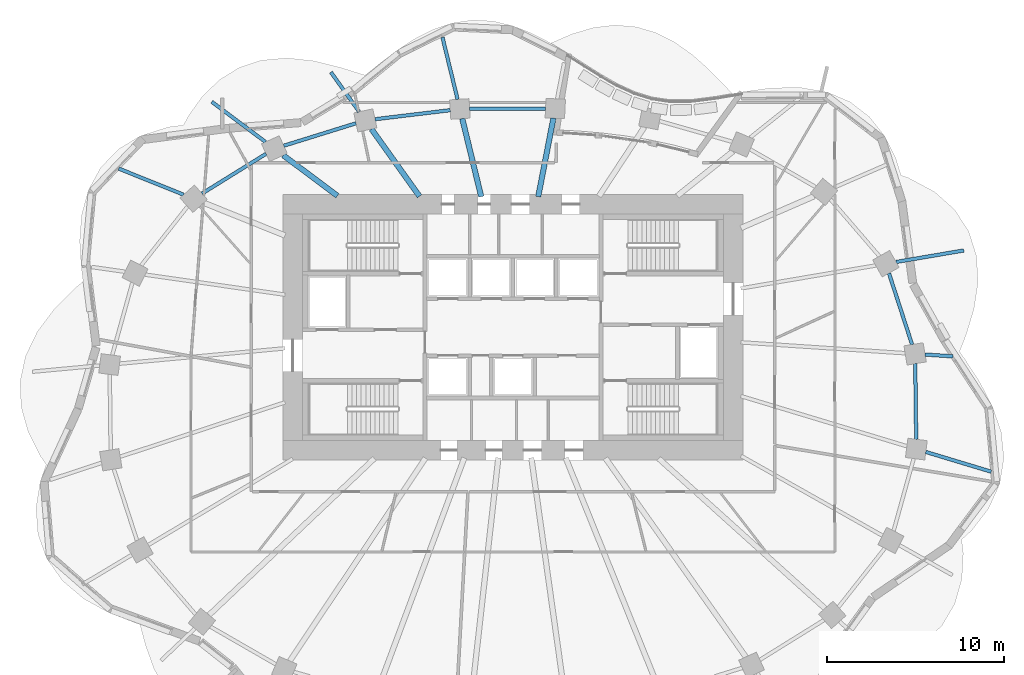
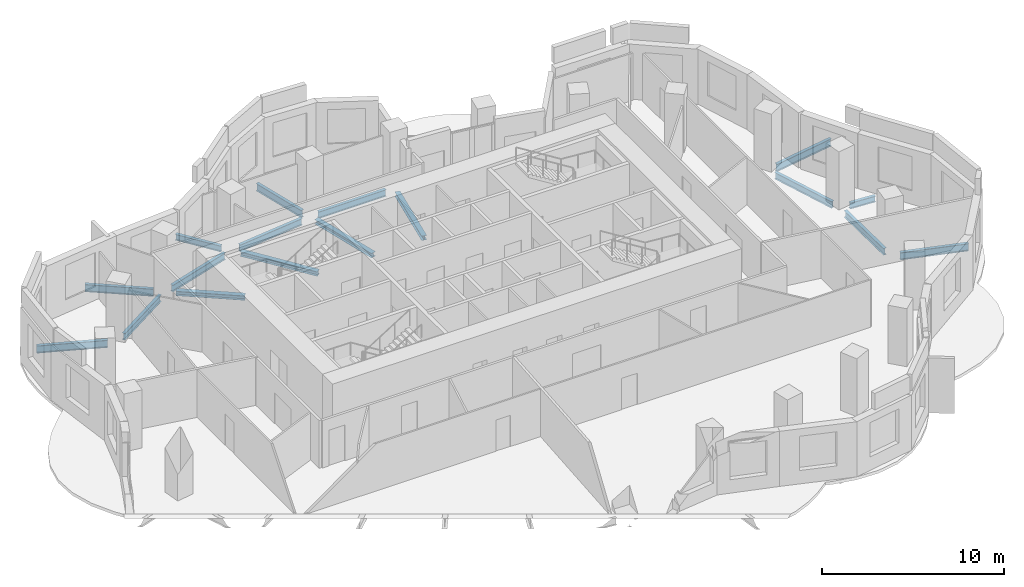
# One storey, part 2 of 11: 17 beams.
"""IFC4 building model written with IfcOpenShell, lengths in metres."""

from ifc_helpers import new_model, si_unit, direction, frame, origin, origin_2d, place, context, subcontext, project, spatial, i_section, extrude, material, material_profile, profile_set, type_object, element, save


model = new_model("IFC4")

# Units and contexts
model_context = context("Model", 3, precision=1e-05, world=origin(), true_north=direction((0.0, 1.0)))
body_context = subcontext(model_context, "Body", "Model", "MODEL_VIEW")
ifc_project = project(units=[si_unit("LENGTHUNIT", "METRE"), si_unit("AREAUNIT", "SQUARE_METRE"), si_unit("VOLUMEUNIT", "CUBIC_METRE"), si_unit("PLANEANGLEUNIT", "RADIAN"), si_unit("MASSUNIT", "GRAM", prefix="KILO")], contexts=[model_context])

# Site, building, storey
site_placement = place(None, origin())
site = spatial("IfcSite", under=ifc_project, at=site_placement, CompositionType="ELEMENT")
building_placement = place(site_placement, origin())
building = spatial("IfcBuilding", under=site, at=building_placement, Name="Rubra Terraces Tower", CompositionType="ELEMENT")
storey_placement = place(building_placement, frame((0.0, 0.0, 146.10009765625)))
storey = spatial("IfcBuildingStorey", under=building, at=storey_placement, Name="L35", CompositionType="ELEMENT", Elevation=146.10009765625)

# Beams
ifc_material = material(Name="Steel Q355B", Category="steel")
ifc_material_profile_1 = material_profile(ifc_material, i_section(OverallWidth=0.199951171875, OverallDepth=0.39990234375, WebThickness=0.008056640625, FlangeThickness=0.012939453125, at=origin_2d()), Name="HN 400x200x8x13")
ifc_profile_set_1 = profile_set([ifc_material_profile_1], Name="Steel Q355B")
beam_type_1 = type_object("IfcBeamType", Name="CANTILEVER BEAM HN 400x200x8x13", PredefinedType="BEAM", material=ifc_profile_set_1)
beam_1_placement = place(storey_placement, frame((23.298095703125, 2.9560546875, -0.400146484375), z_axis=(0.997807103041, -0.066189010572, 0.0), x_axis=(0.066189010572, 0.997807103041, 0.0)))
element("IfcBeam", 1, at=beam_1_placement, inside=storey, type_object=beam_type_1, Name="beam-L35-cant-01", PredefinedType="BEAM", context=body_context, shape_type="SweptSolid", body=[
    extrude(i_section(OverallWidth=0.199951171875, OverallDepth=0.39990234375, WebThickness=0.008056640625, FlangeThickness=0.012939453125, at=origin_2d()), origin(), (0.0, 0.0, 1.0), 1.5712890625),
])
beam_2_placement = place(storey_placement, frame((-8.695068359375, 16.679931640625, -0.400146484375), z_axis=(-0.581002903786, 0.813901484083, 0.0), x_axis=(-0.813901484083, -0.581002903786, 0.0)))
element("IfcBeam", 2, at=beam_2_placement, inside=storey, type_object=beam_type_1, Name="beam-L35-cant-08", PredefinedType="BEAM", context=body_context, shape_type="SweptSolid", body=[
    extrude(i_section(OverallWidth=0.199951171875, OverallDepth=0.39990234375, WebThickness=0.008056640625, FlangeThickness=0.012939453125, at=origin_2d()), origin(), (0.0, 0.0, 1.0), 2.74853515625),
])
ifc_material_profile_2 = material_profile(ifc_material, i_section(OverallWidth=0.198974609375, OverallDepth=0.49609375, WebThickness=0.009033203125, FlangeThickness=0.013916015625, at=origin_2d()), Name="HN 496x199x9x14")
ifc_profile_set_2 = profile_set([ifc_material_profile_2], Name="Steel Q355B")
beam_type_2 = type_object("IfcBeamType", Name="CANTILEVER BEAM HN 496x199x9x14", PredefinedType="BEAM", material=ifc_profile_set_2)
beam_3_placement = place(storey_placement, frame((21.656982421875, 8.18798828125, -0.447998046875), z_axis=(0.985806786827, 0.16788382604, 0.0), x_axis=(-0.16788382604, 0.985806786827, 0.0)))
element("IfcBeam", 3, at=beam_3_placement, inside=storey, type_object=beam_type_2, Name="beam-L35-cant-02", PredefinedType="BEAM", context=body_context, shape_type="SweptSolid", body=[
    extrude(i_section(OverallWidth=0.198974609375, OverallDepth=0.49609375, WebThickness=0.009033203125, FlangeThickness=0.013916015625, at=origin_2d()), origin(), (0.0, 0.0, 1.0), 3.88427734375),
])
beam_4_placement = place(storey_placement, frame((-3.131103515625, 17.37890625, -0.447998046875), z_axis=(-0.236144325216, 0.971717992871, 0.0), x_axis=(-0.971717992871, -0.236144325216, 0.0)))
element("IfcBeam", 4, at=beam_4_placement, inside=storey, type_object=beam_type_2, Name="beam-L35-cant-07", PredefinedType="BEAM", context=body_context, shape_type="SweptSolid", body=[
    extrude(i_section(OverallWidth=0.198974609375, OverallDepth=0.49609375, WebThickness=0.009033203125, FlangeThickness=0.013916015625, at=origin_2d()), origin(), (0.0, 0.0, 1.0), 3.607177734375),
])
beam_5_placement = place(storey_placement, frame((-13.989013671875, 14.971923828125, -0.447998046875), z_axis=(-0.800563432958, 0.599248020281, 0.0), x_axis=(-0.599248020281, -0.800563432958, 0.0)))
element("IfcBeam", 5, at=beam_5_placement, inside=storey, type_object=beam_type_2, Name="beam-L35-cant-09", PredefinedType="BEAM", context=body_context, shape_type="SweptSolid", body=[
    extrude(i_section(OverallWidth=0.198974609375, OverallDepth=0.49609375, WebThickness=0.009033203125, FlangeThickness=0.013916015625, at=origin_2d()), origin(), (0.0, 0.0, 1.0), 3.79345703125),
])
beam_6_placement = place(storey_placement, frame((-18.6201171875, 11.991943359375, -0.447998046875), z_axis=(-0.927758876375, 0.373180207551, 0.0), x_axis=(-0.373180207551, -0.927758876375, 0.0)))
element("IfcBeam", 6, at=beam_6_placement, inside=storey, type_object=beam_type_2, Name="beam-L35-cant-10", PredefinedType="BEAM", context=body_context, shape_type="SweptSolid", body=[
    extrude(i_section(OverallWidth=0.198974609375, OverallDepth=0.49609375, WebThickness=0.009033203125, FlangeThickness=0.013916015625, at=origin_2d()), origin(), (0.0, 0.0, 1.0), 3.9501953125),
])
beam_7_placement = place(storey_placement, frame((23.3359375, -2.550048828125, -0.447998046875), z_axis=(0.957272539744, -0.289187283006, 0.0), x_axis=(0.289187283006, 0.957272539744, 0.0)))
element("IfcBeam", 7, at=beam_7_placement, inside=storey, type_object=beam_type_2, Name="beam-L35-cant-24", PredefinedType="BEAM", context=body_context, shape_type="SweptSolid", body=[
    extrude(i_section(OverallWidth=0.198974609375, OverallDepth=0.49609375, WebThickness=0.009033203125, FlangeThickness=0.013916015625, at=origin_2d()), origin(), (0.0, 0.0, 1.0), 3.85888671875),
])
ifc_material_profile_3 = material_profile(ifc_material, i_section(OverallWidth=0.304931640625, OverallDepth=0.300048828125, WebThickness=0.014892578125, FlangeThickness=0.014892578125, at=origin_2d()), Name="HW 300x305x15x15")
ifc_profile_set_3 = profile_set([ifc_material_profile_3], Name="Steel Q355B")
beam_type_3 = type_object("IfcBeamType", Name="FLOOR BEAM HW 300x305x15x15", PredefinedType="BEAM", material=ifc_profile_set_3)
beam_8_placement = place(storey_placement, frame((2.285888671875, 16.31689453125, -0.35009765625), z_axis=(-0.189927794489, -0.981798061151, 0.0), x_axis=(0.981798061151, -0.189927794489, 0.0)))
element("IfcBeam", 8, at=beam_8_placement, inside=storey, type_object=beam_type_3, Name="beam-L35-floor-06", PredefinedType="BEAM", context=body_context, shape_type="SweptSolid", body=[
    extrude(i_section(OverallWidth=0.304931640625, OverallDepth=0.300048828125, WebThickness=0.014892578125, FlangeThickness=0.014892578125, at=origin_2d()), origin(), (0.0, 0.0, 1.0), 4.51708984375),
])
beam_9_placement = place(storey_placement, frame((-2.866943359375, 16.29296875, -0.35009765625), z_axis=(0.236214306521, -0.971700983531, 0.0), x_axis=(0.971700983531, 0.236214306521, 0.0)))
element("IfcBeam", 9, at=beam_9_placement, inside=storey, type_object=beam_type_3, Name="beam-L35-floor-07", PredefinedType="BEAM", context=body_context, shape_type="SweptSolid", body=[
    extrude(i_section(OverallWidth=0.304931640625, OverallDepth=0.300048828125, WebThickness=0.014892578125, FlangeThickness=0.014892578125, at=origin_2d()), origin(), (0.0, 0.0, 1.0), 4.538330078125),
])
beam_10_placement = place(storey_placement, frame((-7.9990234375, 15.7041015625, -0.35009765625), z_axis=(0.581010755177, -0.813895879317, 0.0), x_axis=(0.813895879317, 0.581010755177, 0.0)))
element("IfcBeam", 10, at=beam_10_placement, inside=storey, type_object=beam_type_3, Name="beam-L35-floor-08", PredefinedType="BEAM", context=body_context, shape_type="SweptSolid", body=[
    extrude(i_section(OverallWidth=0.304931640625, OverallDepth=0.300048828125, WebThickness=0.014892578125, FlangeThickness=0.014892578125, at=origin_2d()), origin(), (0.0, 0.0, 1.0), 4.67138671875),
])
beam_11_placement = place(storey_placement, frame((-12.985107421875, 14.219970703125, -0.35009765625), z_axis=(0.800566460925, -0.599243975057, 0.0), x_axis=(0.599243975057, 0.800566460925, 0.0)))
element("IfcBeam", 11, at=beam_11_placement, inside=storey, type_object=beam_type_3, Name="beam-L35-floor-09", PredefinedType="BEAM", context=body_context, shape_type="SweptSolid", body=[
    extrude(i_section(OverallWidth=0.304931640625, OverallDepth=0.300048828125, WebThickness=0.014892578125, FlangeThickness=0.014892578125, at=origin_2d()), origin(), (0.0, 0.0, 1.0), 3.82470703125),
])
ifc_material_profile_4 = material_profile(ifc_material, i_section(OverallWidth=0.198974609375, OverallDepth=0.446044921875, WebThickness=0.008056640625, FlangeThickness=0.011962890625, at=origin_2d()), Name="HN 446x199x8x12")
ifc_profile_set_4 = profile_set([ifc_material_profile_4], Name="Steel Q355B")
beam_type_4 = type_object("IfcBeamType", Name="SPANDREL BEAM HN 446x199x8x12", PredefinedType="SPANDREL", material=ifc_profile_set_4)
beam_12_placement = place(storey_placement, frame((22.56201171875, 3.52197265625, -0.423095703125), z_axis=(-0.308462461648, 0.951236516201, 0.0), x_axis=(-0.951236516201, -0.308462461648, 0.0)))
element("IfcBeam", 12, at=beam_12_placement, inside=storey, type_object=beam_type_4, Name="beam-L35-spandrel-01", PredefinedType="SPANDREL", context=body_context, shape_type="SweptSolid", body=[
    extrude(i_section(OverallWidth=0.198974609375, OverallDepth=0.446044921875, WebThickness=0.008056640625, FlangeThickness=0.011962890625, at=origin_2d()), origin(), (0.0, 0.0, 1.0), 4.24072265625),
])
beam_13_placement = place(storey_placement, frame((1.841064453125, 16.85888671875, -0.423095703125), z_axis=(-0.999989371096, -0.004610606731, 0.0), x_axis=(0.004610606731, -0.999989371096, 0.0)))
element("IfcBeam", 13, at=beam_13_placement, inside=storey, type_object=beam_type_4, Name="beam-L35-spandrel-06", PredefinedType="SPANDREL", context=body_context, shape_type="SweptSolid", body=[
    extrude(i_section(OverallWidth=0.198974609375, OverallDepth=0.446044921875, WebThickness=0.008056640625, FlangeThickness=0.011962890625, at=origin_2d()), origin(), (0.0, 0.0, 1.0), 4.2890625),
])
beam_14_placement = place(storey_placement, frame((-3.5458984375, 16.77001953125, -0.423095703125), z_axis=(-0.992833084949, -0.119509269223, 0.0), x_axis=(0.119509269223, -0.992833084949, 0.0)))
element("IfcBeam", 14, at=beam_14_placement, inside=storey, type_object=beam_type_4, Name="beam-L35-spandrel-07", PredefinedType="SPANDREL", context=body_context, shape_type="SweptSolid", body=[
    extrude(i_section(OverallWidth=0.198974609375, OverallDepth=0.446044921875, WebThickness=0.008056640625, FlangeThickness=0.011962890625, at=origin_2d()), origin(), (0.0, 0.0, 1.0), 4.283935546875),
])
beam_15_placement = place(storey_placement, frame((-8.8740234375, 16.028076171875, -0.423095703125), z_axis=(-0.955002801089, -0.296596780008, 0.0), x_axis=(0.296596780008, -0.955002801089, 0.0)))
element("IfcBeam", 15, at=beam_15_placement, inside=storey, type_object=beam_type_4, Name="beam-L35-spandrel-08", PredefinedType="SPANDREL", context=body_context, shape_type="SweptSolid", body=[
    extrude(i_section(OverallWidth=0.198974609375, OverallDepth=0.446044921875, WebThickness=0.008056640625, FlangeThickness=0.011962890625, at=origin_2d()), origin(), (0.0, 0.0, 1.0), 4.275390625),
])
beam_16_placement = place(storey_placement, frame((-13.9580078125, 14.303955078125, -0.423095703125), z_axis=(-0.849549830498, -0.527508374816, 0.0), x_axis=(0.527508374816, -0.849549830498, 0.0)))
element("IfcBeam", 16, at=beam_16_placement, inside=storey, type_object=beam_type_4, Name="beam-L35-spandrel-09", PredefinedType="SPANDREL", context=body_context, shape_type="SweptSolid", body=[
    extrude(i_section(OverallWidth=0.198974609375, OverallDepth=0.446044921875, WebThickness=0.008056640625, FlangeThickness=0.011962890625, at=origin_2d()), origin(), (0.0, 0.0, 1.0), 4.259765625),
])
beam_17_placement = place(storey_placement, frame((22.794921875, -1.8330078125, -0.423095703125), z_axis=(-0.012634783266, 0.99992017794, 0.0), x_axis=(-0.99992017794, -0.012634783266, 0.0)))
element("IfcBeam", 17, at=beam_17_placement, inside=storey, type_object=beam_type_4, Name="beam-L35-spandrel-24", PredefinedType="SPANDREL", context=body_context, shape_type="SweptSolid", body=[
    extrude(i_section(OverallWidth=0.198974609375, OverallDepth=0.446044921875, WebThickness=0.008056640625, FlangeThickness=0.011962890625, at=origin_2d()), origin(), (0.0, 0.0, 1.0), 4.270263671875),
])

save(model, "model.ifc")
